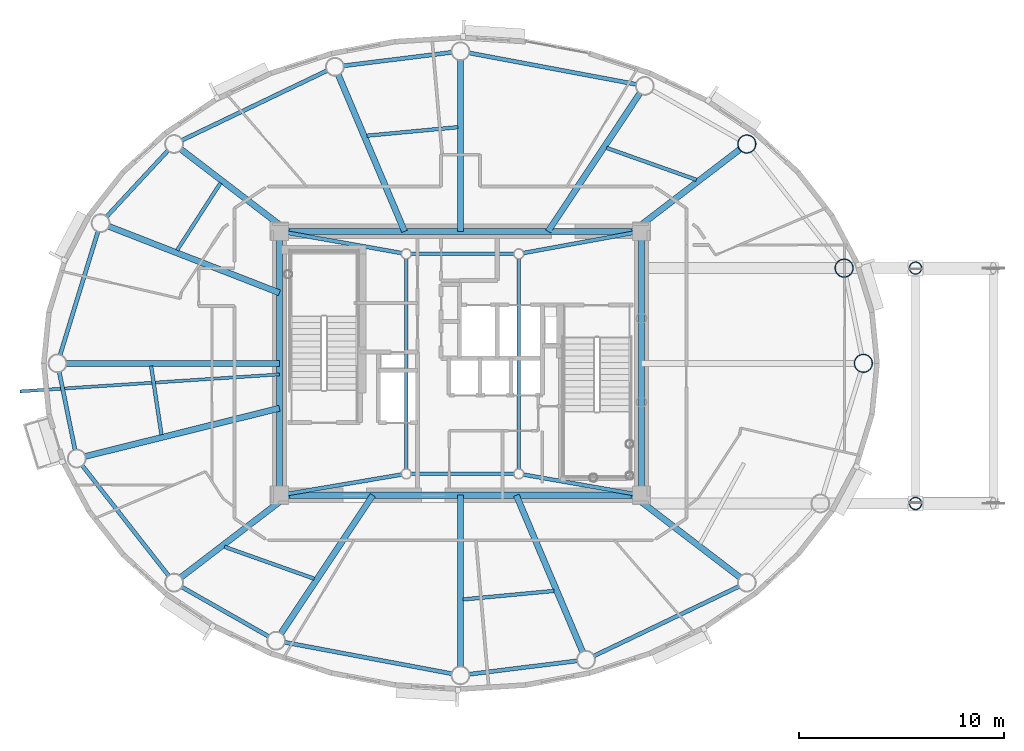
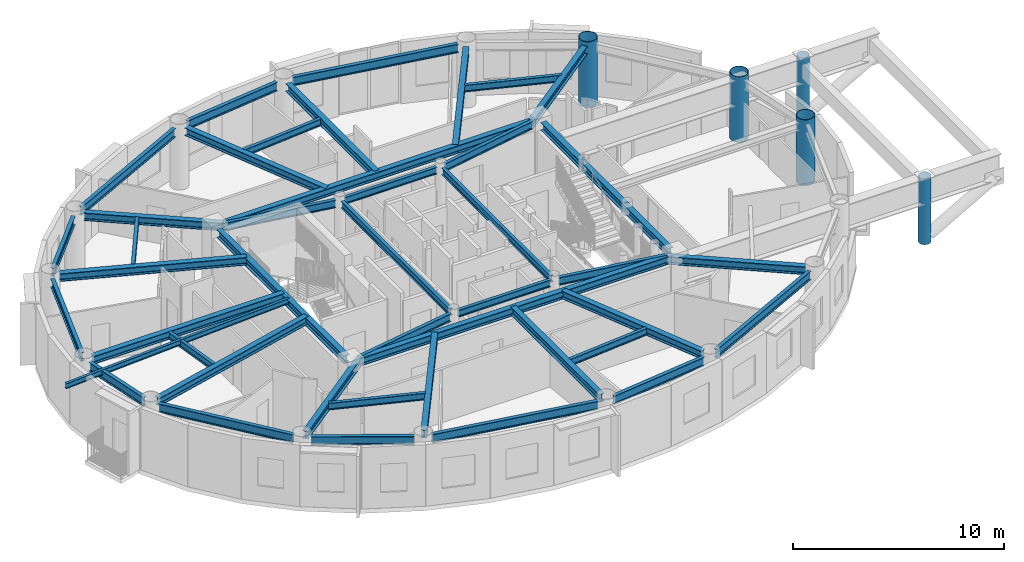
# One storey, part 2 of 19: 43 beams, 5 columns.
"""IFC4 building model written with IfcOpenShell, lengths in metres."""

import ifcopenshell
import ifcopenshell.guid

model = None  # the IFC model being written
_history = None  # IfcOwnerHistory: only IFC2X3 demands one
_inside = {}  # id of a spatial element -> (the spatial element, [elements in it])
_under = {}  # id of a project, library or spatial element -> (it, [spatial elements below it])
_declared = {}  # id of a project -> (the project, [libraries it declares])
_typed = {}  # id of a type object -> (the type object, [elements of that type])
_made_of = {}  # id of a material, layer set ... -> (it, [elements and type objects made of it])


def new_model(schema):
    """Start an empty IFC model of exactly this schema.

    Asked for "IFC4X3", IfcOpenShell would pick the latest addendum, in which some entities
    have other attributes; the version numbers below select the first issue.
    IFC2X3 requires an IfcOwnerHistory on every rooted entity: one is made here for all.
    """
    global model, _history
    if schema == "IFC4X3":
        model = ifcopenshell.file(schema_version=(4, 3, 0, 0))
    else:
        model = ifcopenshell.file(schema=schema)
    _inside.clear()
    _under.clear()
    _declared.clear()
    _typed.clear()
    _made_of.clear()
    _history = None
    if model.schema == "IFC2X3":
        org = make("IfcOrganization", Name="unknown")
        user = make(
            "IfcPersonAndOrganization",
            ThePerson=make("IfcPerson", FamilyName="unknown"),
            TheOrganization=org,
        )
        app = make(
            "IfcApplication",
            ApplicationDeveloper=org,
            Version="unknown",
            ApplicationFullName="unknown",
            ApplicationIdentifier="unknown",
        )
        _history = make(
            "IfcOwnerHistory",
            OwningUser=user,
            OwningApplication=app,
            ChangeAction="ADDED",
            CreationDate=0,
        )
    return model


def make(cls, **values):
    """One entity of the class cls with the attributes given. An attribute that is None is left unset."""
    return model.create_entity(
        cls, **{name: value for name, value in values.items() if value is not None}
    )


def rooted(cls, **values):
    """An entity with a GlobalId (a new one), such as an element, a storey or a relation."""
    return make(cls, GlobalId=ifcopenshell.guid.new(), OwnerHistory=_history, **values)


def si_unit(unit_type, name, prefix=None):
    """IfcSIUnit, for example si_unit("LENGTHUNIT", "METRE", prefix="MILLI")."""
    return make("IfcSIUnit", UnitType=unit_type, Prefix=prefix, Name=name)


def assignment(units):
    """IfcUnitAssignment: the units of a project."""
    return None if units is None else make("IfcUnitAssignment", Units=units)


def point(xyz):
    """IfcCartesianPoint."""
    return None if xyz is None else make("IfcCartesianPoint", Coordinates=xyz)


def direction(xyz):
    """IfcDirection."""
    return None if xyz is None else make("IfcDirection", DirectionRatios=xyz)


def frame(location, z_axis=None, x_axis=None):
    """IfcAxis2Placement3D, a coordinate frame: its origin and axes. An axis left out is left unset."""
    return make(
        "IfcAxis2Placement3D",
        Location=point(location),
        Axis=direction(z_axis),
        RefDirection=direction(x_axis),
    )


def frame_2d(location, x_axis=None):
    """IfcAxis2Placement2D, a coordinate frame in the plane: its origin and x axis."""
    return make(
        "IfcAxis2Placement2D", Location=point(location), RefDirection=direction(x_axis)
    )


def origin():
    """The frame at (0, 0, 0) with its axes left unset."""
    return frame((0.0, 0.0, 0.0))


def origin_2d():
    """The frame at (0, 0) in the plane with its x axis left unset."""
    return frame_2d((0.0, 0.0))


def place(relative_to, where):
    """IfcLocalPlacement: puts the frame where relative to a parent placement (None: the world)."""
    return make(
        "IfcLocalPlacement", PlacementRelTo=relative_to, RelativePlacement=where
    )


def context(
    kind, dimensions, precision=None, world=None, true_north=None, identifier=None
):
    """IfcGeometricRepresentationContext, for example the 3D "Model" context."""
    return make(
        "IfcGeometricRepresentationContext",
        ContextIdentifier=identifier,
        ContextType=kind,
        CoordinateSpaceDimension=dimensions,
        Precision=precision,
        WorldCoordinateSystem=world,
        TrueNorth=true_north,
    )


def subcontext(parent, identifier, kind, view, scale=None):
    """IfcGeometricRepresentationSubContext, for example "Body" below "Model"."""
    return make(
        "IfcGeometricRepresentationSubContext",
        ContextIdentifier=identifier,
        ContextType=kind,
        ParentContext=parent,
        TargetScale=scale,
        TargetView=view,
    )


def project(units=None, contexts=None):
    """IfcProject with its units and contexts."""
    return rooted(
        "IfcProject",
        Name="project",
        RepresentationContexts=contexts,
        UnitsInContext=assignment(units),
    )


def spatial(cls, under=None, at=None, **own):
    """A site, building, storey or space (cls), placed at a placement, below another one or the project."""
    s = rooted(cls, ObjectPlacement=at, **own)
    if under is not None:
        _under.setdefault(under.id(), (under, []))[1].append(s)
    return s


def profile(cls, at=None, kind="AREA", **sizes):
    """A parametric profile (cls). Its sizes go by their IFC names, for example OverallWidth=200.0."""
    return make(cls, ProfileType=kind, Position=at, **sizes)


def hollow_circle(**sizes):
    """IfcCircleHollowProfileDef."""
    return profile("IfcCircleHollowProfileDef", **sizes)


def i_section(**sizes):
    """IfcIShapeProfileDef."""
    return profile("IfcIShapeProfileDef", **sizes)


def extrude(swept, where, along, depth):
    """IfcExtrudedAreaSolid: the profile swept, set in the frame where, extruded along a direction by depth."""
    return make(
        "IfcExtrudedAreaSolid",
        SweptArea=swept,
        Position=where,
        ExtrudedDirection=direction(along),
        Depth=depth,
    )


def shape(context_of_items, identifier, shape_type, items):
    """IfcShapeRepresentation: the items that make up one representation, for example the "Body"."""
    return make(
        "IfcShapeRepresentation",
        ContextOfItems=context_of_items,
        RepresentationIdentifier=identifier,
        RepresentationType=shape_type,
        Items=items,
    )


def material(Name=None, Category=None):
    """IfcMaterial."""
    return make("IfcMaterial", Name=Name, Category=Category)


def material_profile(
    of_material, cross_section, Name=None, Category=None, Priority=None
):
    """IfcMaterialProfile: a cross section and its material."""
    return make(
        "IfcMaterialProfile",
        Name=Name,
        Material=of_material,
        Profile=cross_section,
        Priority=Priority,
        Category=Category,
    )


def profile_set(profiles, Name=None, composite=None):
    """IfcMaterialProfileSet."""
    return make(
        "IfcMaterialProfileSet",
        Name=Name,
        MaterialProfiles=profiles,
        CompositeProfile=composite,
    )


def made_of(thing, what):
    """Note that an element or type object is made of a material, layer set ...; save() writes the relation."""
    if what is not None:
        _made_of.setdefault(what.id(), (what, []))[1].append(thing)
    return thing


def type_object(cls, material=None, **own):
    """A type object (cls), such as IfcWallType, which elements share."""
    return made_of(rooted(cls, **own), material)


def element(
    cls,
    number,
    at=None,
    inside=None,
    cuts=None,
    type_object=None,
    material=None,
    context=None,
    identifier="Body",
    shape_type=None,
    held_by="IfcProductDefinitionShape",
    body=None,
    shapes=None,
    **own,
):
    """One element of the class cls, such as IfcWall. Its Tag is "e" and its number.

    at: its placement. inside: the storey or other place that contains it. cuts: it is an
    opening in that element (IfcRelVoidsElement). A single representation is given by context,
    identifier, shape_type and body (its items); several are given by shapes. held_by: the class
    of the entity that holds the representations. save() writes the other relations.
    """
    e = rooted(cls, Tag="e%d" % number, ObjectPlacement=at, **own)
    if body is not None:
        shapes = [shape(context, identifier, shape_type, body)]
    if shapes is not None:
        e.Representation = make(held_by, Representations=shapes)
    if inside is not None:
        _inside.setdefault(inside.id(), (inside, []))[1].append(e)
    if cuts is not None:
        rooted(
            "IfcRelVoidsElement", RelatingBuildingElement=cuts, RelatedOpeningElement=e
        )
    if type_object is not None:
        _typed.setdefault(type_object.id(), (type_object, []))[1].append(e)
    return made_of(e, material)


def aggregate(whole, parts):
    """IfcRelAggregates: a whole, such as a stair, and the parts it consists of."""
    return rooted("IfcRelAggregates", RelatingObject=whole, RelatedObjects=parts)


def save(model, path):
    """Write the relations noted so far, then the file.

    IfcRelAggregates (storeys below a building ...), IfcRelContainedInSpatialStructure (elements
    in a storey), IfcRelDefinesByType, IfcRelAssociatesMaterial and IfcRelDeclares: one each for
    every whole, place, type object, material and project.
    """
    for whole, parts in _under.values():
        aggregate(whole, parts)
    for where, things in _inside.values():
        rooted(
            "IfcRelContainedInSpatialStructure",
            RelatedElements=things,
            RelatingStructure=where,
        )
    for kind, things in _typed.values():
        rooted("IfcRelDefinesByType", RelatedObjects=things, RelatingType=kind)
    for what, things in _made_of.values():
        rooted("IfcRelAssociatesMaterial", RelatedObjects=things, RelatingMaterial=what)
    for by, libraries in _declared.values():
        rooted("IfcRelDeclares", RelatingContext=by, RelatedDefinitions=libraries)
    model.write(path)


model = new_model("IFC4")

# Units and contexts
model_context = context("Model", 3, precision=1e-05, world=origin(), true_north=direction((0.0, 1.0)))
body_context = subcontext(model_context, "Body", "Model", "MODEL_VIEW")
ifc_project = project(units=[si_unit("LENGTHUNIT", "METRE"), si_unit("AREAUNIT", "SQUARE_METRE"), si_unit("VOLUMEUNIT", "CUBIC_METRE"), si_unit("PLANEANGLEUNIT", "RADIAN"), si_unit("MASSUNIT", "GRAM", prefix="KILO")], contexts=[model_context])

# Site, building, storey
site_placement = place(None, origin())
site = spatial("IfcSite", under=ifc_project, at=site_placement, CompositionType="ELEMENT")
building_placement = place(site_placement, origin())
building = spatial("IfcBuilding", under=site, at=building_placement, Name="Linh Dai School and Residence Tower", CompositionType="ELEMENT")
storey_placement = place(building_placement, frame((0.0, 0.0, 339.199951171875)))
storey = spatial("IfcBuildingStorey", under=building, at=storey_placement, Name="L84", CompositionType="ELEMENT", Elevation=339.199951171875)

# Columns
ifc_material = material(Name="Structural Steel S355JR", Category="steel")
ifc_material_profile_1 = material_profile(ifc_material, hollow_circle(Radius=0.449951171875, WallThickness=0.028076171875, at=origin_2d()), Name="CHS 900x28")
ifc_profile_set_1 = profile_set([ifc_material_profile_1], Name="Structural Steel S355JR")
column_type_1 = type_object("IfcColumnType", Name="COL-MC7", PredefinedType="COLUMN", material=ifc_profile_set_1)
for number, where, z_axis, x_axis, name in (
    (1, (55.699951171875, 27.0, 0.0), (0.0, 0.0, 1.0), (1.0, 0.0, 0.0), "L84 Perimeter CFT Mega-Column MC01"),
    (2, (54.7578125, 31.65478515625, 0.0), (0.0, 0.0, 1.0), (1.0, 0.0, 0.0), "L84 Perimeter CFT Mega-Column MC02"),
    (3, (50.00244140625, 37.72265625, 0.0), (0.0, 0.0, 1.0), (1.0, 0.0, 0.0), "L84 Perimeter CFT Mega-Column MC03"),
):
    element("IfcColumn", number, at=place(storey_placement, frame(where, z_axis=z_axis, x_axis=x_axis)), inside=storey, type_object=column_type_1, Name=name, PredefinedType="COLUMN", context=body_context, shape_type="SweptSolid", body=[
        extrude(hollow_circle(Radius=0.449951171875, WallThickness=0.028076171875, at=origin_2d()), origin(), (0.0, 0.0, 1.0), 3.800048828125),
    ])
ifc_material_profile_2 = material_profile(ifc_material, hollow_circle(Radius=0.304931640625, WallThickness=0.02490234375, at=origin_2d()), Name="CHS 610x25")
ifc_profile_set_2 = profile_set([ifc_material_profile_2], Name="Structural Steel S355JR")
column_type_2 = type_object("IfcColumnType", Name="COL-SLC", PredefinedType="COLUMN", material=ifc_profile_set_2)
for number, where, z_axis, x_axis, name in (
    (4, (58.25, 20.1474609375, -0.25), (0.0, 0.0, 1.0), (1.0, 0.0, 0.0), "L84 Sky-Lounge Step Post S"),
    (5, (58.25, 31.65478515625, -0.25), (0.0, 0.0, 1.0), (1.0, 0.0, 0.0), "L84 Sky-Lounge Step Post N"),
):
    element("IfcColumn", number, at=place(storey_placement, frame(where, z_axis=z_axis, x_axis=x_axis)), inside=storey, type_object=column_type_2, Name=name, PredefinedType="COLUMN", context=body_context, shape_type="SweptSolid", body=[
        extrude(hollow_circle(Radius=0.304931640625, WallThickness=0.02490234375, at=origin_2d()), origin(), (0.0, 0.0, 1.0), 3.800048828125),
    ])

# Beams
ifc_material_profile_3 = material_profile(ifc_material, i_section(OverallWidth=0.14990234375, OverallDepth=0.300048828125, WebThickness=0.007080078125, FlangeThickness=0.0107421875, at=origin_2d()), Name="IPE 300")
ifc_profile_set_3 = profile_set([ifc_material_profile_3], Name="Structural Steel S355JR")
beam_type_1 = type_object("IfcBeamType", Name="BM-BALC-CANT", PredefinedType="BEAM", material=ifc_profile_set_3)
beam_1_placement = place(storey_placement, frame((27.14990234375, 26.45654296875, 3.400146484375), z_axis=(-0.997872367571, -0.065197684296, 0.0), x_axis=(0.065197684296, -0.997872367571, 0.0)))
element("IfcBeam", 6, at=beam_1_placement, inside=storey, type_object=beam_type_1, Name="L85 Balcony Continuous Cantilever Beam 21", PredefinedType="BEAM", context=body_context, shape_type="SweptSolid", body=[
    extrude(i_section(OverallWidth=0.14990234375, OverallDepth=0.300048828125, WebThickness=0.007080078125, FlangeThickness=0.0107421875, at=origin_2d()), origin(), (0.0, 0.0, 1.0), 12.70556640625),
])
ifc_material_profile_4 = material_profile(ifc_material, i_section(OverallWidth=0.199951171875, OverallDepth=0.5, WebThickness=0.01025390625, FlangeThickness=0.01611328125, FilletRadius=0.02099609375, at=origin_2d()), Name="IPE 500")
ifc_profile_set_4 = profile_set([ifc_material_profile_4], Name="Structural Steel S355JR")
beam_type_2 = type_object("IfcBeamType", Name="BM-RB50", PredefinedType="BEAM", material=ifc_profile_set_4)
beam_2_placement = place(storey_placement, frame((44.597412109375, 40.6396484375, 3.300048828125), z_axis=(-0.98280175603, 0.184663771066, 0.0), x_axis=(-0.184663771066, -0.98280175603, 0.0)))
element("IfcBeam", 7, at=beam_2_placement, inside=storey, type_object=beam_type_2, Name="L84 Perimeter Elliptical Ring Beam 04", PredefinedType="BEAM", context=body_context, shape_type="SweptSolid", body=[
    extrude(i_section(OverallWidth=0.199951171875, OverallDepth=0.5, WebThickness=0.01025390625, FlangeThickness=0.01611328125, FilletRadius=0.02099609375, at=origin_2d()), origin(), (0.0, 0.0, 1.0), 8.327880859375),
])
beam_3_placement = place(storey_placement, frame((35.583251953125, 42.203369140625, 3.300048828125), z_axis=(-0.992398979221, -0.123062041428, 0.0), x_axis=(0.123062041428, -0.992398979221, 0.0)))
element("IfcBeam", 8, at=beam_3_placement, inside=storey, type_object=beam_type_2, Name="L84 Perimeter Elliptical Ring Beam 05", PredefinedType="BEAM", context=body_context, shape_type="SweptSolid", body=[
    extrude(i_section(OverallWidth=0.199951171875, OverallDepth=0.5, WebThickness=0.01025390625, FlangeThickness=0.01611328125, FilletRadius=0.02099609375, at=origin_2d()), origin(), (0.0, 0.0, 1.0), 5.344482421875),
])
beam_4_placement = place(storey_placement, frame((29.483642578125, 41.312255859375, 3.300048828125), z_axis=(-0.901701330417, -0.432359469335, 0.0), x_axis=(0.432359469335, -0.901701330417, 0.0)))
element("IfcBeam", 9, at=beam_4_placement, inside=storey, type_object=beam_type_2, Name="L84 Perimeter Elliptical Ring Beam 06", PredefinedType="BEAM", context=body_context, shape_type="SweptSolid", body=[
    extrude(i_section(OverallWidth=0.199951171875, OverallDepth=0.5, WebThickness=0.01025390625, FlangeThickness=0.01611328125, FilletRadius=0.02099609375, at=origin_2d()), origin(), (0.0, 0.0, 1.0), 7.88232421875),
])
beam_5_placement = place(storey_placement, frame((21.7119140625, 37.4150390625, 3.300048828125), z_axis=(-0.680339330162, -0.732897261446, 0.0), x_axis=(0.732897261446, -0.680339330162, 0.0)))
element("IfcBeam", 10, at=beam_5_placement, inside=storey, type_object=beam_type_2, Name="L84 Perimeter Elliptical Ring Beam 07", PredefinedType="BEAM", context=body_context, shape_type="SweptSolid", body=[
    extrude(i_section(OverallWidth=0.199951171875, OverallDepth=0.5, WebThickness=0.01025390625, FlangeThickness=0.01611328125, FilletRadius=0.02099609375, at=origin_2d()), origin(), (0.0, 0.0, 1.0), 4.440673828125),
])
beam_6_placement = place(storey_placement, frame((18.281494140625, 33.451171875, 3.300048828125), z_axis=(-0.293606003102, -0.955926521728, 0.0), x_axis=(0.955926521728, -0.293606003102, 0.0)))
element("IfcBeam", 11, at=beam_6_placement, inside=storey, type_object=beam_type_2, Name="L84 Perimeter Elliptical Ring Beam 08", PredefinedType="BEAM", context=body_context, shape_type="SweptSolid", body=[
    extrude(i_section(OverallWidth=0.199951171875, OverallDepth=0.5, WebThickness=0.01025390625, FlangeThickness=0.01611328125, FilletRadius=0.02099609375, at=origin_2d()), origin(), (0.0, 0.0, 1.0), 6.32861328125),
])
beam_7_placement = place(storey_placement, frame((16.38330078125, 26.58837890625, 3.300048828125), z_axis=(0.198409502721, -0.980119211744, 0.0), x_axis=(0.980119211744, 0.198409502721, 0.0)))
element("IfcBeam", 12, at=beam_7_placement, inside=storey, type_object=beam_type_2, Name="L84 Perimeter Elliptical Ring Beam 09", PredefinedType="BEAM", context=body_context, shape_type="SweptSolid", body=[
    extrude(i_section(OverallWidth=0.199951171875, OverallDepth=0.5, WebThickness=0.01025390625, FlangeThickness=0.01611328125, FilletRadius=0.02099609375, at=origin_2d()), origin(), (0.0, 0.0, 1.0), 3.9091796875),
])
beam_8_placement = place(storey_placement, frame((17.501220703125, 22.0146484375, 3.300048828125), z_axis=(0.616844770958, -0.787084829318, 0.0), x_axis=(0.787084829318, 0.616844770958, 0.0)))
element("IfcBeam", 13, at=beam_8_placement, inside=storey, type_object=beam_type_2, Name="L84 Perimeter Elliptical Ring Beam 10", PredefinedType="BEAM", context=body_context, shape_type="SweptSolid", body=[
    extrude(i_section(OverallWidth=0.199951171875, OverallDepth=0.5, WebThickness=0.01025390625, FlangeThickness=0.01611328125, FilletRadius=0.02099609375, at=origin_2d()), origin(), (0.0, 0.0, 1.0), 6.869384765625),
])
beam_9_placement = place(storey_placement, frame((22.362548828125, 16.069580078125, 3.300048828125), z_axis=(0.86923725405, -0.494395182189, 0.0), x_axis=(0.494395182189, 0.86923725405, 0.0)))
element("IfcBeam", 14, at=beam_9_placement, inside=storey, type_object=beam_type_2, Name="L84 Perimeter Elliptical Ring Beam 11", PredefinedType="BEAM", context=body_context, shape_type="SweptSolid", body=[
    extrude(i_section(OverallWidth=0.199951171875, OverallDepth=0.5, WebThickness=0.01025390625, FlangeThickness=0.01611328125, FilletRadius=0.02099609375, at=origin_2d()), origin(), (0.0, 0.0, 1.0), 4.903076171875),
])
beam_10_placement = place(storey_placement, frame((27.402587890625, 13.3603515625, 3.300048828125), z_axis=(0.98280175603, -0.184663771066, 0.0), x_axis=(0.184663771066, 0.98280175603, 0.0)))
element("IfcBeam", 15, at=beam_10_placement, inside=storey, type_object=beam_type_2, Name="L84 Perimeter Elliptical Ring Beam 12", PredefinedType="BEAM", context=body_context, shape_type="SweptSolid", body=[
    extrude(i_section(OverallWidth=0.199951171875, OverallDepth=0.5, WebThickness=0.01025390625, FlangeThickness=0.01611328125, FilletRadius=0.02099609375, at=origin_2d()), origin(), (0.0, 0.0, 1.0), 8.327880859375),
])
beam_11_placement = place(storey_placement, frame((36.416748046875, 11.796630859375, 3.300048828125), z_axis=(0.992398979221, 0.123062041428, 0.0), x_axis=(-0.123062041428, 0.992398979221, 0.0)))
element("IfcBeam", 16, at=beam_11_placement, inside=storey, type_object=beam_type_2, Name="L84 Perimeter Elliptical Ring Beam 13", PredefinedType="BEAM", context=body_context, shape_type="SweptSolid", body=[
    extrude(i_section(OverallWidth=0.199951171875, OverallDepth=0.5, WebThickness=0.01025390625, FlangeThickness=0.01611328125, FilletRadius=0.02099609375, at=origin_2d()), origin(), (0.0, 0.0, 1.0), 5.344482421875),
])
beam_12_placement = place(storey_placement, frame((42.516357421875, 12.687744140625, 3.300048828125), z_axis=(0.901701330417, 0.432359469335, 0.0), x_axis=(-0.432359469335, 0.901701330417, 0.0)))
element("IfcBeam", 17, at=beam_12_placement, inside=storey, type_object=beam_type_2, Name="L84 Perimeter Elliptical Ring Beam 14", PredefinedType="BEAM", context=body_context, shape_type="SweptSolid", body=[
    extrude(i_section(OverallWidth=0.199951171875, OverallDepth=0.5, WebThickness=0.01025390625, FlangeThickness=0.01611328125, FilletRadius=0.02099609375, at=origin_2d()), origin(), (0.0, 0.0, 1.0), 7.88232421875),
])
ifc_material_profile_5 = material_profile(ifc_material, i_section(OverallWidth=0.300048828125, OverallDepth=0.449951171875, WebThickness=0.013916015625, FlangeThickness=0.02587890625, FilletRadius=0.027099609375, at=origin_2d()), Name="HEB 450")
ifc_profile_set_5 = profile_set([ifc_material_profile_5], Name="Structural Steel S355JR")
beam_type_3 = type_object("IfcBeamType", Name="BM-RG45", PredefinedType="BEAM", material=ifc_profile_set_5)
beam_13_placement = place(storey_placement, frame((27.570068359375, 20.550048828125, 3.324951171875), z_axis=(1.0, 0.0, 0.0), x_axis=(0.0, 1.0, 0.0)))
element("IfcBeam", 18, at=beam_13_placement, inside=storey, type_object=beam_type_3, Name="L84 Core Perimeter Coupling Girder 1", PredefinedType="BEAM", context=body_context, shape_type="SweptSolid", body=[
    extrude(i_section(OverallWidth=0.300048828125, OverallDepth=0.449951171875, WebThickness=0.013916015625, FlangeThickness=0.02587890625, FilletRadius=0.027099609375, at=origin_2d()), origin(), (0.0, 0.0, 1.0), 16.85986328125),
])
beam_14_placement = place(storey_placement, frame((44.85009765625, 20.969970703125, 3.324951171875), z_axis=(0.0, 1.0, 0.0), x_axis=(-1.0, 0.0, 0.0)))
element("IfcBeam", 19, at=beam_14_placement, inside=storey, type_object=beam_type_3, Name="L84 Core Perimeter Coupling Girder 2", PredefinedType="BEAM", context=body_context, shape_type="SweptSolid", body=[
    extrude(i_section(OverallWidth=0.300048828125, OverallDepth=0.449951171875, WebThickness=0.013916015625, FlangeThickness=0.02587890625, FilletRadius=0.027099609375, at=origin_2d()), origin(), (0.0, 0.0, 1.0), 12.06005859375),
])
beam_15_placement = place(storey_placement, frame((44.429931640625, 33.449951171875, 3.324951171875), z_axis=(-1.0, 0.0, 0.0), x_axis=(0.0, -1.0, 0.0)))
element("IfcBeam", 20, at=beam_15_placement, inside=storey, type_object=beam_type_3, Name="L84 Core Perimeter Coupling Girder 3", PredefinedType="BEAM", context=body_context, shape_type="SweptSolid", body=[
    extrude(i_section(OverallWidth=0.300048828125, OverallDepth=0.449951171875, WebThickness=0.013916015625, FlangeThickness=0.02587890625, FilletRadius=0.027099609375, at=origin_2d()), origin(), (0.0, 0.0, 1.0), 16.85986328125),
])
beam_16_placement = place(storey_placement, frame((27.14990234375, 33.030029296875, 3.324951171875), z_axis=(0.0, -1.0, 0.0), x_axis=(1.0, 0.0, 0.0)))
element("IfcBeam", 21, at=beam_16_placement, inside=storey, type_object=beam_type_3, Name="L84 Core Perimeter Coupling Girder 4", PredefinedType="BEAM", context=body_context, shape_type="SweptSolid", body=[
    extrude(i_section(OverallWidth=0.300048828125, OverallDepth=0.449951171875, WebThickness=0.013916015625, FlangeThickness=0.02587890625, FilletRadius=0.027099609375, at=origin_2d()), origin(), (0.0, 0.0, 1.0), 12.06005859375),
])
beam_17_placement = place(storey_placement, frame((44.4228515625, 33.449951171875, 3.324951171875), z_axis=(0.793929753809, 0.608009495006, 0.0), x_axis=(-0.608009495006, 0.793929753809, 0.0)))
element("IfcBeam", 22, at=beam_17_placement, inside=storey, type_object=beam_type_3, Name="L84 Primary Radial Floor Girder 03", PredefinedType="BEAM", context=body_context, shape_type="SweptSolid", body=[
    extrude(i_section(OverallWidth=0.300048828125, OverallDepth=0.449951171875, WebThickness=0.013916015625, FlangeThickness=0.02587890625, FilletRadius=0.027099609375, at=origin_2d()), origin(), (0.0, 0.0, 1.0), 6.607666015625),
])
beam_18_placement = place(storey_placement, frame((40.28515625, 33.449951171875, 3.324951171875), z_axis=(0.553380967678, 0.832928270989, 0.0), x_axis=(-0.832928270989, 0.553380967678, 0.0)))
element("IfcBeam", 23, at=beam_18_placement, inside=storey, type_object=beam_type_3, Name="L84 Primary Radial Floor Girder 04", PredefinedType="BEAM", context=body_context, shape_type="SweptSolid", body=[
    extrude(i_section(OverallWidth=0.300048828125, OverallDepth=0.449951171875, WebThickness=0.013916015625, FlangeThickness=0.02587890625, FilletRadius=0.027099609375, at=origin_2d()), origin(), (0.0, 0.0, 1.0), 8.11865234375),
])
beam_19_placement = place(storey_placement, frame((36.0, 33.449951171875, 3.324951171875), z_axis=(0.0, 1.0, 0.0), x_axis=(-1.0, 0.0, 0.0)))
element("IfcBeam", 24, at=beam_19_placement, inside=storey, type_object=beam_type_3, Name="L84 Primary Radial Floor Girder 05", PredefinedType="BEAM", context=body_context, shape_type="SweptSolid", body=[
    extrude(i_section(OverallWidth=0.300048828125, OverallDepth=0.449951171875, WebThickness=0.013916015625, FlangeThickness=0.02587890625, FilletRadius=0.027099609375, at=origin_2d()), origin(), (0.0, 0.0, 1.0), 8.385009765625),
])
beam_20_placement = place(storey_placement, frame((33.268798828125, 33.449951171875, 3.324951171875), z_axis=(-0.389954119501, 0.920834287309, 0.0), x_axis=(-0.920834287309, -0.389954119501, 0.0)))
element("IfcBeam", 25, at=beam_20_placement, inside=storey, type_object=beam_type_3, Name="L84 Primary Radial Floor Girder 06", PredefinedType="BEAM", context=body_context, shape_type="SweptSolid", body=[
    extrude(i_section(OverallWidth=0.300048828125, OverallDepth=0.449951171875, WebThickness=0.013916015625, FlangeThickness=0.02587890625, FilletRadius=0.027099609375, at=origin_2d()), origin(), (0.0, 0.0, 1.0), 8.3154296875),
])
beam_21_placement = place(storey_placement, frame((27.5771484375, 33.449951171875, 3.324951171875), z_axis=(-0.793929753809, 0.608009495006, 0.0), x_axis=(-0.608009495006, -0.793929753809, 0.0)))
element("IfcBeam", 26, at=beam_21_placement, inside=storey, type_object=beam_type_3, Name="L84 Primary Radial Floor Girder 07", PredefinedType="BEAM", context=body_context, shape_type="SweptSolid", body=[
    extrude(i_section(OverallWidth=0.300048828125, OverallDepth=0.449951171875, WebThickness=0.013916015625, FlangeThickness=0.02587890625, FilletRadius=0.027099609375, at=origin_2d()), origin(), (0.0, 0.0, 1.0), 6.607666015625),
])
beam_22_placement = place(storey_placement, frame((27.14990234375, 30.44677734375, 3.324951171875), z_axis=(-0.931822607816, 0.362914077384, 0.0), x_axis=(-0.362914077384, -0.931822607816, 0.0)))
element("IfcBeam", 27, at=beam_22_placement, inside=storey, type_object=beam_type_3, Name="L84 Primary Radial Floor Girder 08", PredefinedType="BEAM", context=body_context, shape_type="SweptSolid", body=[
    extrude(i_section(OverallWidth=0.300048828125, OverallDepth=0.449951171875, WebThickness=0.013916015625, FlangeThickness=0.02587890625, FilletRadius=0.027099609375, at=origin_2d()), origin(), (0.0, 0.0, 1.0), 8.964599609375),
])
beam_23_placement = place(storey_placement, frame((27.14990234375, 27.0, 3.324951171875), z_axis=(-1.0, 0.0, 0.0), x_axis=(0.0, -1.0, 0.0)))
element("IfcBeam", 28, at=beam_23_placement, inside=storey, type_object=beam_type_3, Name="L84 Primary Radial Floor Girder 09", PredefinedType="BEAM", context=body_context, shape_type="SweptSolid", body=[
    extrude(i_section(OverallWidth=0.300048828125, OverallDepth=0.449951171875, WebThickness=0.013916015625, FlangeThickness=0.02587890625, FilletRadius=0.027099609375, at=origin_2d()), origin(), (0.0, 0.0, 1.0), 10.429931640625),
])
beam_24_placement = place(storey_placement, frame((27.14990234375, 24.803955078125, 3.324951171875), z_axis=(-0.970563583495, -0.24084503398, 0.0), x_axis=(0.24084503398, -0.970563583495, 0.0)))
element("IfcBeam", 29, at=beam_24_placement, inside=storey, type_object=beam_type_3, Name="L84 Primary Radial Floor Girder 10", PredefinedType="BEAM", context=body_context, shape_type="SweptSolid", body=[
    extrude(i_section(OverallWidth=0.300048828125, OverallDepth=0.449951171875, WebThickness=0.013916015625, FlangeThickness=0.02587890625, FilletRadius=0.027099609375, at=origin_2d()), origin(), (0.0, 0.0, 1.0), 9.7880859375),
])
beam_25_placement = place(storey_placement, frame((27.5771484375, 20.550048828125, 3.324951171875), z_axis=(-0.793929753809, -0.608009495006, 0.0), x_axis=(0.608009495006, -0.793929753809, 0.0)))
element("IfcBeam", 30, at=beam_25_placement, inside=storey, type_object=beam_type_3, Name="L84 Primary Radial Floor Girder 11", PredefinedType="BEAM", context=body_context, shape_type="SweptSolid", body=[
    extrude(i_section(OverallWidth=0.300048828125, OverallDepth=0.449951171875, WebThickness=0.013916015625, FlangeThickness=0.02587890625, FilletRadius=0.027099609375, at=origin_2d()), origin(), (0.0, 0.0, 1.0), 6.607666015625),
])
beam_26_placement = place(storey_placement, frame((31.71484375, 20.550048828125, 3.324951171875), z_axis=(-0.553380967678, -0.832928270989, 0.0), x_axis=(0.832928270989, -0.553380967678, 0.0)))
element("IfcBeam", 31, at=beam_26_placement, inside=storey, type_object=beam_type_3, Name="L84 Primary Radial Floor Girder 12", PredefinedType="BEAM", context=body_context, shape_type="SweptSolid", body=[
    extrude(i_section(OverallWidth=0.300048828125, OverallDepth=0.449951171875, WebThickness=0.013916015625, FlangeThickness=0.02587890625, FilletRadius=0.027099609375, at=origin_2d()), origin(), (0.0, 0.0, 1.0), 8.11865234375),
])
beam_27_placement = place(storey_placement, frame((36.0, 20.550048828125, 3.324951171875), z_axis=(0.0, -1.0, 0.0), x_axis=(1.0, 0.0, 0.0)))
element("IfcBeam", 32, at=beam_27_placement, inside=storey, type_object=beam_type_3, Name="L84 Primary Radial Floor Girder 13", PredefinedType="BEAM", context=body_context, shape_type="SweptSolid", body=[
    extrude(i_section(OverallWidth=0.300048828125, OverallDepth=0.449951171875, WebThickness=0.013916015625, FlangeThickness=0.02587890625, FilletRadius=0.027099609375, at=origin_2d()), origin(), (0.0, 0.0, 1.0), 8.385009765625),
])
beam_28_placement = place(storey_placement, frame((38.731201171875, 20.550048828125, 3.324951171875), z_axis=(0.389954119501, -0.920834287309, 0.0), x_axis=(0.920834287309, 0.389954119501, 0.0)))
element("IfcBeam", 33, at=beam_28_placement, inside=storey, type_object=beam_type_3, Name="L84 Primary Radial Floor Girder 14", PredefinedType="BEAM", context=body_context, shape_type="SweptSolid", body=[
    extrude(i_section(OverallWidth=0.300048828125, OverallDepth=0.449951171875, WebThickness=0.013916015625, FlangeThickness=0.02587890625, FilletRadius=0.027099609375, at=origin_2d()), origin(), (0.0, 0.0, 1.0), 8.3154296875),
])
beam_29_placement = place(storey_placement, frame((44.4228515625, 20.550048828125, 3.324951171875), z_axis=(0.793929753809, -0.608009495006, 0.0), x_axis=(0.608009495006, 0.793929753809, 0.0)))
element("IfcBeam", 34, at=beam_29_placement, inside=storey, type_object=beam_type_3, Name="L84 Primary Radial Floor Girder 15", PredefinedType="BEAM", context=body_context, shape_type="SweptSolid", body=[
    extrude(i_section(OverallWidth=0.300048828125, OverallDepth=0.449951171875, WebThickness=0.013916015625, FlangeThickness=0.02587890625, FilletRadius=0.027099609375, at=origin_2d()), origin(), (0.0, 0.0, 1.0), 6.607666015625),
])
ifc_material_profile_6 = material_profile(ifc_material, i_section(OverallWidth=0.179931640625, OverallDepth=0.39990234375, WebThickness=0.008544921875, FlangeThickness=0.013427734375, FilletRadius=0.02099609375, at=origin_2d()), Name="IPE 400")
ifc_profile_set_6 = profile_set([ifc_material_profile_6], Name="Structural Steel S355JR")
beam_type_4 = type_object("IfcBeamType", Name="BM-SB40", PredefinedType="BEAM", material=ifc_profile_set_6)
beam_30_placement = place(storey_placement, frame((33.573974609375, 21.60009765625, 3.35009765625), z_axis=(1.0, 0.0, 0.0), x_axis=(0.0, 1.0, 0.0)))
element("IfcBeam", 35, at=beam_30_placement, inside=storey, type_object=beam_type_4, Name="L84 Core Mast Pier Tie Beam 1", PredefinedType="BEAM", context=body_context, shape_type="SweptSolid", body=[
    extrude(i_section(OverallWidth=0.179931640625, OverallDepth=0.39990234375, WebThickness=0.008544921875, FlangeThickness=0.013427734375, FilletRadius=0.02099609375, at=origin_2d()), origin(), (0.0, 0.0, 1.0), 5.052001953125),
])
beam_31_placement = place(storey_placement, frame((38.85009765625, 21.823974609375, 3.35009765625), z_axis=(0.0, 1.0, 0.0), x_axis=(-1.0, 0.0, 0.0)))
element("IfcBeam", 36, at=beam_31_placement, inside=storey, type_object=beam_type_4, Name="L84 Core Mast Pier Tie Beam 2", PredefinedType="BEAM", context=body_context, shape_type="SweptSolid", body=[
    extrude(i_section(OverallWidth=0.179931640625, OverallDepth=0.39990234375, WebThickness=0.008544921875, FlangeThickness=0.013427734375, FilletRadius=0.02099609375, at=origin_2d()), origin(), (0.0, 0.0, 1.0), 10.302001953125),
])
beam_32_placement = place(storey_placement, frame((38.6259765625, 32.35009765625, 3.35009765625), z_axis=(-1.0, 0.0, 0.0), x_axis=(0.0, -1.0, 0.0)))
element("IfcBeam", 37, at=beam_32_placement, inside=storey, type_object=beam_type_4, Name="L84 Core Mast Pier Tie Beam 3", PredefinedType="BEAM", context=body_context, shape_type="SweptSolid", body=[
    extrude(i_section(OverallWidth=0.179931640625, OverallDepth=0.39990234375, WebThickness=0.008544921875, FlangeThickness=0.013427734375, FilletRadius=0.02099609375, at=origin_2d()), origin(), (0.0, 0.0, 1.0), 5.052001953125),
])
beam_33_placement = place(storey_placement, frame((33.35009765625, 32.1259765625, 3.35009765625), z_axis=(0.0, -1.0, 0.0), x_axis=(1.0, 0.0, 0.0)))
element("IfcBeam", 38, at=beam_33_placement, inside=storey, type_object=beam_type_4, Name="L84 Core Mast Pier Tie Beam 4", PredefinedType="BEAM", context=body_context, shape_type="SweptSolid", body=[
    extrude(i_section(OverallWidth=0.179931640625, OverallDepth=0.39990234375, WebThickness=0.008544921875, FlangeThickness=0.013427734375, FilletRadius=0.02099609375, at=origin_2d()), origin(), (0.0, 0.0, 1.0), 10.302001953125),
])
beam_34_placement = place(storey_placement, frame((47.536376953125, 35.9716796875, 3.35009765625), z_axis=(-0.942243736347, 0.334927964366, 0.0), x_axis=(-0.334927964366, -0.942243736347, 0.0)))
element("IfcBeam", 39, at=beam_34_placement, inside=storey, type_object=beam_type_4, Name="L84 Secondary Circumferential Floor Beam 02", PredefinedType="BEAM", context=body_context, shape_type="SweptSolid", body=[
    extrude(i_section(OverallWidth=0.179931640625, OverallDepth=0.39990234375, WebThickness=0.008544921875, FlangeThickness=0.013427734375, FilletRadius=0.02099609375, at=origin_2d()), origin(), (0.0, 0.0, 1.0), 4.6572265625),
])
beam_35_placement = place(storey_placement, frame((35.87060546875, 38.544677734375, 3.35009765625), z_axis=(-0.995634384765, -0.093339015817, 0.0), x_axis=(0.093339015817, -0.995634384765, 0.0)))
element("IfcBeam", 40, at=beam_35_placement, inside=storey, type_object=beam_type_4, Name="L84 Secondary Circumferential Floor Beam 03", PredefinedType="BEAM", context=body_context, shape_type="SweptSolid", body=[
    extrude(i_section(OverallWidth=0.179931640625, OverallDepth=0.39990234375, WebThickness=0.008544921875, FlangeThickness=0.013427734375, FilletRadius=0.02099609375, at=origin_2d()), origin(), (0.0, 0.0, 1.0), 4.467529296875),
])
beam_36_placement = place(storey_placement, frame((24.2705078125, 35.819091796875, 3.35009765625), z_axis=(-0.54228601876, -0.840193950143, 0.0), x_axis=(0.840193950143, -0.54228601876, 0.0)))
element("IfcBeam", 41, at=beam_36_placement, inside=storey, type_object=beam_type_4, Name="L84 Secondary Circumferential Floor Beam 04", PredefinedType="BEAM", context=body_context, shape_type="SweptSolid", body=[
    extrude(i_section(OverallWidth=0.179931640625, OverallDepth=0.39990234375, WebThickness=0.008544921875, FlangeThickness=0.013427734375, FilletRadius=0.02099609375, at=origin_2d()), origin(), (0.0, 0.0, 1.0), 3.9130859375),
])
beam_37_placement = place(storey_placement, frame((20.87646484375, 26.871337890625, 3.35009765625), z_axis=(0.149150785005, -0.988814463553, 0.0), x_axis=(0.988814463553, 0.149150785005, 0.0)))
element("IfcBeam", 42, at=beam_37_placement, inside=storey, type_object=beam_type_4, Name="L84 Secondary Circumferential Floor Beam 05", PredefinedType="BEAM", context=body_context, shape_type="SweptSolid", body=[
    extrude(i_section(OverallWidth=0.179931640625, OverallDepth=0.39990234375, WebThickness=0.008544921875, FlangeThickness=0.013427734375, FilletRadius=0.02099609375, at=origin_2d()), origin(), (0.0, 0.0, 1.0), 3.403076171875),
])
beam_38_placement = place(storey_placement, frame((24.463623046875, 18.0283203125, 3.35009765625), z_axis=(0.942243736347, -0.334927964366, 0.0), x_axis=(0.334927964366, 0.942243736347, 0.0)))
element("IfcBeam", 43, at=beam_38_placement, inside=storey, type_object=beam_type_4, Name="L84 Secondary Circumferential Floor Beam 06", PredefinedType="BEAM", context=body_context, shape_type="SweptSolid", body=[
    extrude(i_section(OverallWidth=0.179931640625, OverallDepth=0.39990234375, WebThickness=0.008544921875, FlangeThickness=0.013427734375, FilletRadius=0.02099609375, at=origin_2d()), origin(), (0.0, 0.0, 1.0), 4.6572265625),
])
beam_39_placement = place(storey_placement, frame((36.12939453125, 15.455322265625, 3.35009765625), z_axis=(0.995634384765, 0.093339015817, 0.0), x_axis=(-0.093339015817, 0.995634384765, 0.0)))
element("IfcBeam", 44, at=beam_39_placement, inside=storey, type_object=beam_type_4, Name="L84 Secondary Circumferential Floor Beam 07", PredefinedType="BEAM", context=body_context, shape_type="SweptSolid", body=[
    extrude(i_section(OverallWidth=0.179931640625, OverallDepth=0.39990234375, WebThickness=0.008544921875, FlangeThickness=0.013427734375, FilletRadius=0.02099609375, at=origin_2d()), origin(), (0.0, 0.0, 1.0), 4.467529296875),
])
ifc_material_profile_7 = material_profile(ifc_material, i_section(OverallWidth=0.18994140625, OverallDepth=0.449951171875, WebThickness=0.009521484375, FlangeThickness=0.0146484375, FilletRadius=0.02099609375, at=origin_2d()), Name="IPE 450")
ifc_profile_set_7 = profile_set([ifc_material_profile_7], Name="Structural Steel S355JR")
beam_type_5 = type_object("IfcBeamType", Name="BM-SB45", PredefinedType="BEAM", material=ifc_profile_set_7)
beam_40_placement = place(storey_placement, frame((27.564208984375, 20.6201171875, 3.324951171875), z_axis=(0.98596270559, 0.166965694638, 0.0), x_axis=(-0.166965694638, 0.98596270559, 0.0)))
element("IfcBeam", 45, at=beam_40_placement, inside=storey, type_object=beam_type_5, Name="L84 Core Corner-to-Mast Pier Beam 1", PredefinedType="BEAM", context=body_context, shape_type="SweptSolid", body=[
    extrude(i_section(OverallWidth=0.18994140625, OverallDepth=0.449951171875, WebThickness=0.009521484375, FlangeThickness=0.0146484375, FilletRadius=0.02099609375, at=origin_2d()), origin(), (0.0, 0.0, 1.0), 5.644287109375),
])
beam_41_placement = place(storey_placement, frame((44.436279296875, 20.622314453125, 3.324951171875), z_axis=(-0.985031608673, 0.17237380867, 0.0), x_axis=(-0.17237380867, -0.985031608673, 0.0)))
element("IfcBeam", 46, at=beam_41_placement, inside=storey, type_object=beam_type_5, Name="L84 Core Corner-to-Mast Pier Beam 2", PredefinedType="BEAM", context=body_context, shape_type="SweptSolid", body=[
    extrude(i_section(OverallWidth=0.18994140625, OverallDepth=0.449951171875, WebThickness=0.009521484375, FlangeThickness=0.0146484375, FilletRadius=0.02099609375, at=origin_2d()), origin(), (0.0, 0.0, 1.0), 5.447265625),
])
beam_42_placement = place(storey_placement, frame((44.436767578125, 33.374267578125, 3.324951171875), z_axis=(-0.983605366802, -0.180334362777, 0.0), x_axis=(0.180334362777, -0.983605366802, 0.0)))
element("IfcBeam", 47, at=beam_42_placement, inside=storey, type_object=beam_type_5, Name="L84 Core Corner-to-Mast Pier Beam 3", PredefinedType="BEAM", context=body_context, shape_type="SweptSolid", body=[
    extrude(i_section(OverallWidth=0.18994140625, OverallDepth=0.449951171875, WebThickness=0.009521484375, FlangeThickness=0.0146484375, FilletRadius=0.02099609375, at=origin_2d()), origin(), (0.0, 0.0, 1.0), 5.455810546875),
])
beam_43_placement = place(storey_placement, frame((27.5634765625, 33.376708984375, 3.324951171875), z_axis=(0.984621828197, -0.174699328672, 0.0), x_axis=(0.174699328672, 0.984621828197, 0.0)))
element("IfcBeam", 48, at=beam_43_placement, inside=storey, type_object=beam_type_5, Name="L84 Core Corner-to-Mast Pier Beam 4", PredefinedType="BEAM", context=body_context, shape_type="SweptSolid", body=[
    extrude(i_section(OverallWidth=0.18994140625, OverallDepth=0.449951171875, WebThickness=0.009521484375, FlangeThickness=0.0146484375, FilletRadius=0.02099609375, at=origin_2d()), origin(), (0.0, 0.0, 1.0), 5.65283203125),
])

save(model, "model.ifc")
